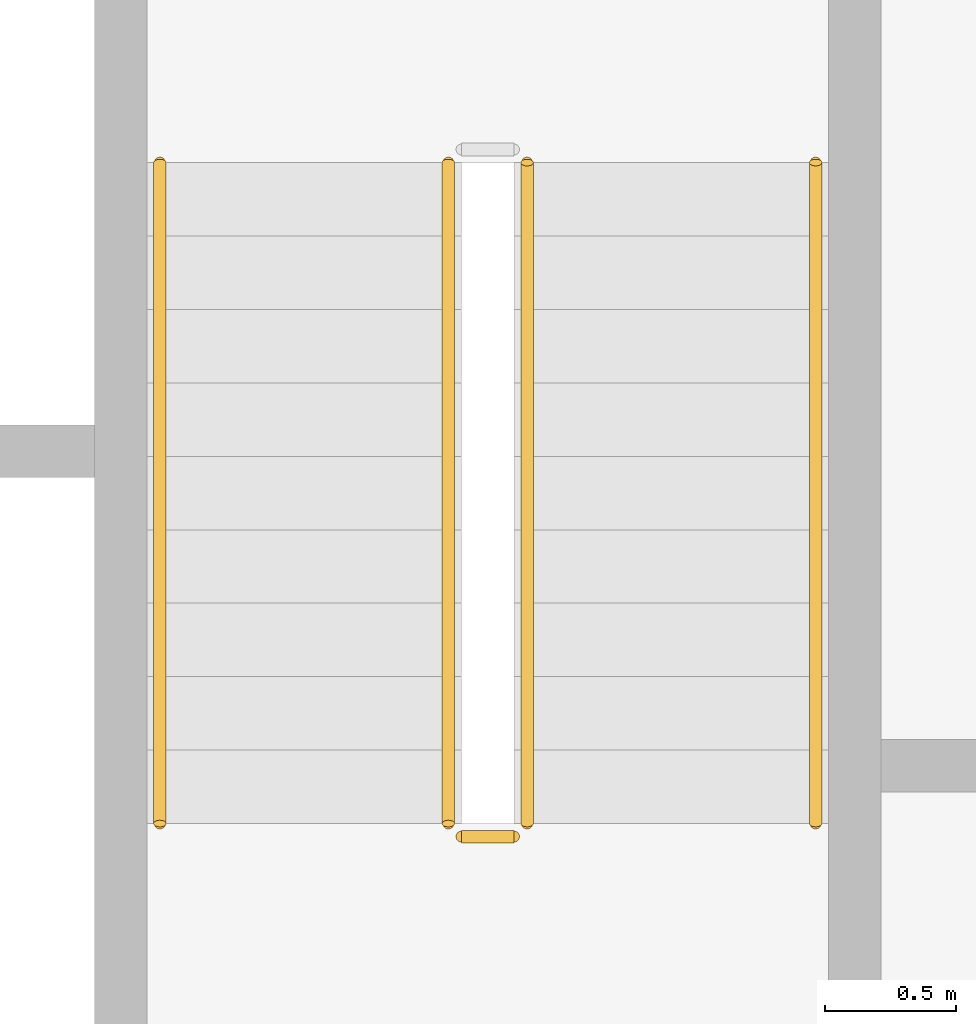
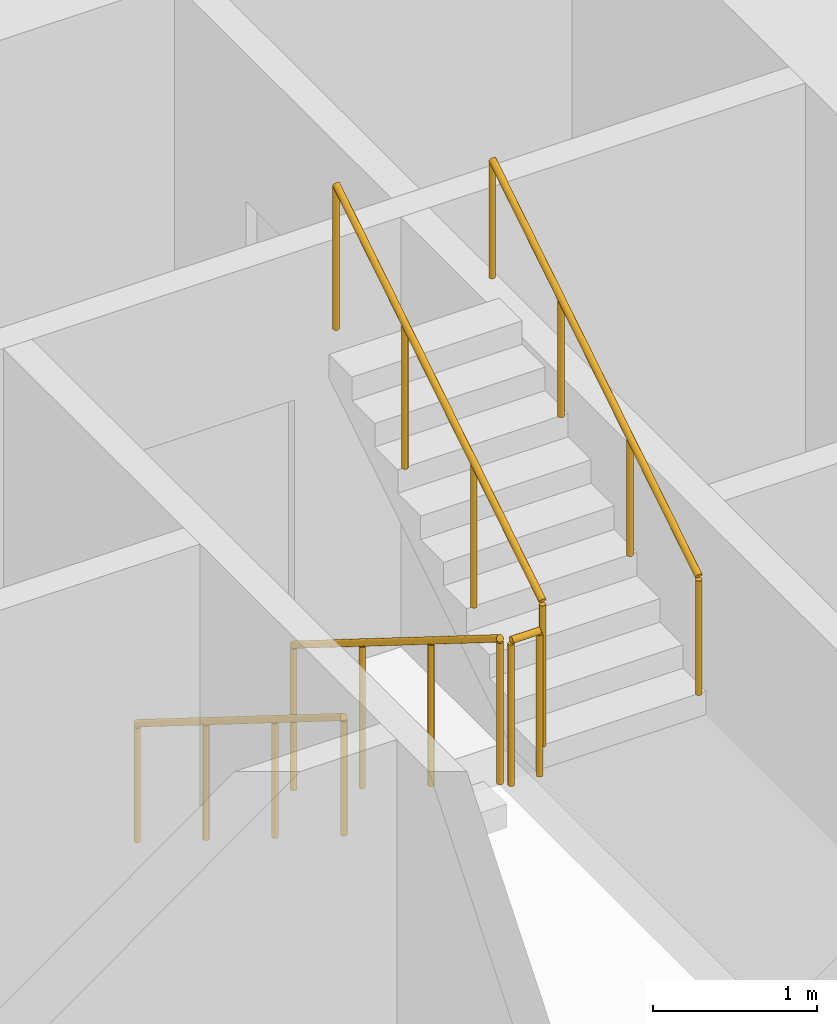
# One storey, part 19 of 22: 5 railings.
"""IFC4 building model written with IfcOpenShell, lengths in metres."""

from ifc_helpers import new_model, si_unit, direction, frame, origin, origin_2d, place, context, subcontext, project, spatial, circle, extrude, material, type_object, element, save


model = new_model("IFC4")

# Units and contexts
model_context = context("Model", 3, precision=1e-05, world=origin(), true_north=direction((0.0, 1.0)))
body_context = subcontext(model_context, "Body", "Model", "MODEL_VIEW")
ifc_project = project(units=[si_unit("LENGTHUNIT", "METRE"), si_unit("AREAUNIT", "SQUARE_METRE"), si_unit("VOLUMEUNIT", "CUBIC_METRE"), si_unit("PLANEANGLEUNIT", "RADIAN"), si_unit("MASSUNIT", "GRAM", prefix="KILO")], contexts=[model_context])

# Site, building, storey
site_placement = place(None, origin())
site = spatial("IfcSite", under=ifc_project, at=site_placement, CompositionType="ELEMENT")
building_placement = place(site_placement, origin())
building = spatial("IfcBuilding", under=site, at=building_placement, Name="Kiln Ring Residences", CompositionType="ELEMENT")
storey_placement = place(building_placement, frame((0.0, 0.0, 160.60009765625)))
storey = spatial("IfcBuildingStorey", under=building, at=storey_placement, Name="L41", CompositionType="ELEMENT", Elevation=160.60009765625)

# Railings
ifc_material_1 = material(Name="Stainless steel", Category="steel")
railing_type_1 = type_object("IfcRailingType", Name="CORE-STAIR-GUARD", PredefinedType="GUARDRAIL", material=ifc_material_1)
railing_1_placement = place(storey_placement, frame((21.949951171875, 8.39990234375, 0.1748046875)))
element("IfcRailing", 1, at=railing_1_placement, inside=storey, type_object=railing_type_1, Name="L41 E-STN stair guard 1", PredefinedType="GUARDRAIL", context=body_context, shape_type="SweptSolid", body=[
    extrude(circle(Radius=0.02392578125, at=origin_2d()), frame((0.0, 0.0, 1.076171875), z_axis=(0.0, -0.847970611238, 0.530043245855), x_axis=(1.0, 0.0, 0.0)), (0.0, 0.0, 1.0), 2.971923828125),
    extrude(circle(Radius=0.02099609375, at=origin_2d()), origin(), (0.0, 0.0, 1.0), 1.052001953125),
    extrude(circle(Radius=0.02099609375, at=origin_2d()), frame((0.0, -0.840087890625, 0.525146484375)), (0.0, 0.0, 1.0), 1.052001953125),
    extrude(circle(Radius=0.02099609375, at=origin_2d()), frame((0.0, -1.679931640625, 1.050048828125)), (0.0, 0.0, 1.0), 1.052001953125),
    extrude(circle(Radius=0.02099609375, at=origin_2d()), frame((0.0, -2.52001953125, 1.5751953125)), (0.0, 0.0, 1.0), 1.052001953125),
])
railing_2_placement = place(storey_placement, frame((22.0, 5.830078125, 1.75)))
element("IfcRailing", 2, at=railing_2_placement, inside=storey, type_object=railing_type_1, Name="L41 E-STN stair guard 2", PredefinedType="GUARDRAIL", context=body_context, shape_type="SweptSolid", body=[
    extrude(circle(Radius=0.02392578125, at=origin_2d()), frame((0.0, 0.0, 1.076171875), z_axis=(1.0, 0.0, 0.0), x_axis=(0.0, 1.0, 0.0)), (0.0, 0.0, 1.0), 0.199951171875),
    extrude(circle(Radius=0.02099609375, at=origin_2d()), origin(), (0.0, 0.0, 1.0), 1.052001953125),
    extrude(circle(Radius=0.02099609375, at=origin_2d()), frame((0.199951171875, 0.0, 0.0)), (0.0, 0.0, 1.0), 1.052001953125),
])
railing_3_placement = place(storey_placement, frame((22.25, 5.8798828125, 1.9248046875)))
element("IfcRailing", 3, at=railing_3_placement, inside=storey, type_object=railing_type_1, Name="L41 E-STN stair guard 3", PredefinedType="GUARDRAIL", context=body_context, shape_type="SweptSolid", body=[
    extrude(circle(Radius=0.02392578125, at=origin_2d()), frame((0.0, 0.0, 1.076171875), z_axis=(0.0, 0.847970611238, 0.530043245855), x_axis=(-1.0, 0.0, 0.0)), (0.0, 0.0, 1.0), 2.971923828125),
    extrude(circle(Radius=0.02099609375, at=origin_2d()), origin(), (0.0, 0.0, 1.0), 1.052001953125),
    extrude(circle(Radius=0.02099609375, at=origin_2d()), frame((0.0, 0.840087890625, 0.525146484375)), (0.0, 0.0, 1.0), 1.052001953125),
    extrude(circle(Radius=0.02099609375, at=origin_2d()), frame((0.0, 1.679931640625, 1.050048828125)), (0.0, 0.0, 1.0), 1.052001953125),
    extrude(circle(Radius=0.02099609375, at=origin_2d()), frame((0.0, 2.52001953125, 1.5751953125)), (0.0, 0.0, 1.0), 1.052001953125),
])
ifc_material_2 = material(Name="Stainless steel", Category="steel")
railing_type_2 = type_object("IfcRailingType", Name="CORE-STAIR-HANDRAIL", PredefinedType="HANDRAIL", material=ifc_material_2)
railing_4_placement = place(storey_placement, frame((20.85009765625, 8.39990234375, 0.1748046875)))
element("IfcRailing", 4, at=railing_4_placement, inside=storey, type_object=railing_type_2, Name="L41 E-STN stair handrail 1", PredefinedType="HANDRAIL", context=body_context, shape_type="SweptSolid", body=[
    extrude(circle(Radius=0.02392578125, at=origin_2d()), frame((0.0, 0.0, 0.8759765625), z_axis=(0.0, -0.847970611238, 0.530043245855), x_axis=(1.0, 0.0, 0.0)), (0.0, 0.0, 1.0), 2.971923828125),
    extrude(circle(Radius=0.02099609375, at=origin_2d()), origin(), (0.0, 0.0, 1.0), 0.851806640625),
    extrude(circle(Radius=0.02099609375, at=origin_2d()), frame((0.0, -0.840087890625, 0.525146484375)), (0.0, 0.0, 1.0), 0.851806640625),
    extrude(circle(Radius=0.02099609375, at=origin_2d()), frame((0.0, -1.679931640625, 1.050048828125)), (0.0, 0.0, 1.0), 0.851806640625),
    extrude(circle(Radius=0.02099609375, at=origin_2d()), frame((0.0, -2.52001953125, 1.5751953125)), (0.0, 0.0, 1.0), 0.851806640625),
])
railing_5_placement = place(storey_placement, frame((23.35009765625, 5.8798828125, 1.9248046875)))
element("IfcRailing", 5, at=railing_5_placement, inside=storey, type_object=railing_type_2, Name="L41 E-STN stair handrail 2", PredefinedType="HANDRAIL", context=body_context, shape_type="SweptSolid", body=[
    extrude(circle(Radius=0.02392578125, at=origin_2d()), frame((0.0, 0.0, 0.8759765625), z_axis=(0.0, 0.847970611238, 0.530043245855), x_axis=(-1.0, 0.0, 0.0)), (0.0, 0.0, 1.0), 2.971923828125),
    extrude(circle(Radius=0.02099609375, at=origin_2d()), origin(), (0.0, 0.0, 1.0), 0.851806640625),
    extrude(circle(Radius=0.02099609375, at=origin_2d()), frame((0.0, 0.840087890625, 0.525146484375)), (0.0, 0.0, 1.0), 0.851806640625),
    extrude(circle(Radius=0.02099609375, at=origin_2d()), frame((0.0, 1.679931640625, 1.050048828125)), (0.0, 0.0, 1.0), 0.851806640625),
    extrude(circle(Radius=0.02099609375, at=origin_2d()), frame((0.0, 2.52001953125, 1.5751953125)), (0.0, 0.0, 1.0), 0.851806640625),
])

save(model, "model.ifc")
